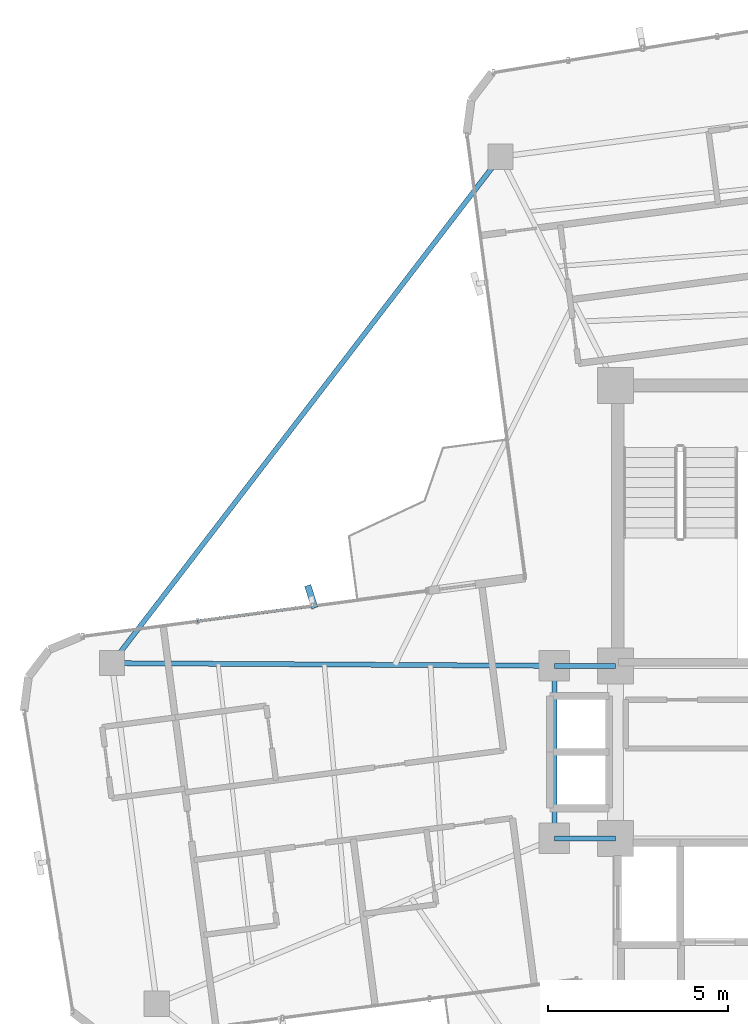
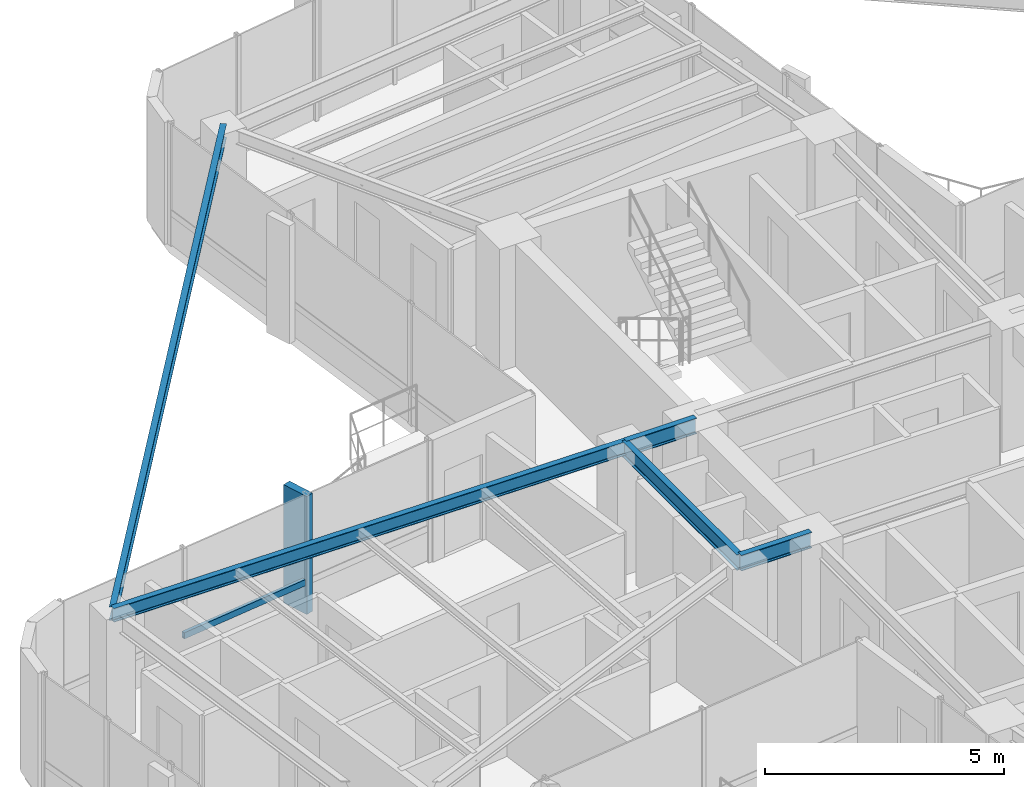
# One storey, part 8 of 22: 5 beams, 2 members, 1 element without a shape of its own.
"""IFC4 building model written with IfcOpenShell, lengths in metres."""

from ifc_helpers import new_model, si_unit, direction, frame, origin, origin_2d, place, context, subcontext, project, spatial, rectangle, hollow_rectangle, i_section, extrude, source, transform, mapped, material, material_profile, profile_set, type_object, element, aggregate, save


model = new_model("IFC4")

# Units and contexts
model_context = context("Model", 3, precision=1e-05, world=origin(), true_north=direction((0.0, 1.0)))
body_context = subcontext(model_context, "Body", "Model", "MODEL_VIEW")
ifc_project = project(units=[si_unit("LENGTHUNIT", "METRE"), si_unit("AREAUNIT", "SQUARE_METRE"), si_unit("VOLUMEUNIT", "CUBIC_METRE"), si_unit("PLANEANGLEUNIT", "RADIAN"), si_unit("MASSUNIT", "GRAM", prefix="KILO")], contexts=[model_context])

# Site, building, storey
site_placement = place(None, origin())
site = spatial("IfcSite", under=ifc_project, at=site_placement, CompositionType="ELEMENT")
building_placement = place(site_placement, origin())
building = spatial("IfcBuilding", under=site, at=building_placement, Name="Sahyath Konkavel Grand Hotel", CompositionType="ELEMENT")
storey_placement = place(building_placement, frame((0.0, 0.0, 234.449951171875)))
storey = spatial("IfcBuildingStorey", under=building, at=storey_placement, Name="L65", CompositionType="ELEMENT", Elevation=234.449951171875)

# Beams
ifc_material_1 = material(Name="Steel E350", Category="steel")
ifc_material_profile_1 = material_profile(ifc_material_1, i_section(OverallWidth=0.139892578125, OverallDepth=0.39990234375, WebThickness=0.0087890625, FlangeThickness=0.01611328125, FilletRadius=0.013916015625, at=origin_2d()), Name="ISMB 400")
ifc_profile_set_1 = profile_set([ifc_material_profile_1], Name="Steel E350")
beam_type_1 = type_object("IfcBeamType", Name="BM-ISMB400", PredefinedType="BEAM", material=ifc_profile_set_1)
shared_shape_1 = source(origin(), body_context, "Body", "SweptSolid", [
    extrude(i_section(OverallWidth=0.139892578125, OverallDepth=0.39990234375, WebThickness=0.0087890625, FlangeThickness=0.01611328125, FilletRadius=0.013916015625, at=origin_2d()), origin(), (0.0, 0.0, 1.0), 1.699951171875),
])
for number, where, z_axis, x_axis, name in (
    (1, (-5.5, 2.39990234375, 2.91015625), (1.0, 0.0, 0.0), (0.0, 1.0, 0.0), "str:bm:L65:HB-NW"),
    (2, (-5.5, -2.39990234375, 2.91015625), (1.0, 0.0, 0.0), (0.0, 1.0, 0.0), "str:bm:L65:HB-SW"),
):
    element("IfcBeam", number, at=place(storey_placement, frame(where, z_axis=z_axis, x_axis=x_axis)), inside=storey, type_object=beam_type_1, Name=name, PredefinedType="BEAM", context=body_context, shape_type="MappedRepresentation", body=[
        mapped(shared_shape_1, transform((0.0, 0.0, 0.0), scale=1.0)),
    ])
shared_shape_2 = source(origin(), body_context, "Body", "SweptSolid", [
    extrude(i_section(OverallWidth=0.139892578125, OverallDepth=0.39990234375, WebThickness=0.0087890625, FlangeThickness=0.01611328125, FilletRadius=0.013916015625, at=origin_2d()), origin(), (0.0, 0.0, 1.0), 4.7998046875),
])
beam_1_placement = place(storey_placement, frame((-5.5, -2.39990234375, 2.91015625), z_axis=(0.0, 1.0, 0.0), x_axis=(-1.0, 0.0, 0.0)))
element("IfcBeam", 3, at=beam_1_placement, inside=storey, type_object=beam_type_1, Name="str:bm:L65:HB-W", PredefinedType="BEAM", context=body_context, shape_type="MappedRepresentation", body=[
    mapped(shared_shape_2, transform((0.0, 0.0, 0.0), scale=1.0)),
])
ifc_material_profile_2 = material_profile(ifc_material_1, i_section(OverallWidth=0.139892578125, OverallDepth=0.35009765625, WebThickness=0.008056640625, FlangeThickness=0.01416015625, FilletRadius=0.013916015625, at=origin_2d()), Name="ISMB 350")
ifc_profile_set_2 = profile_set([ifc_material_profile_2], Name="Steel E350")
beam_type_2 = type_object("IfcBeamType", Name="BM-ISMB350", PredefinedType="BEAM", material=ifc_profile_set_2)
shared_shape_3 = source(origin(), body_context, "Body", "SweptSolid", [
    extrude(i_section(OverallWidth=0.139892578125, OverallDepth=0.35009765625, WebThickness=0.008056640625, FlangeThickness=0.01416015625, FilletRadius=0.013916015625, at=origin_2d()), origin(), (0.0, 0.0, 1.0), 12.308837890625),
])
beam_2_placement = place(storey_placement, frame((-5.5, 2.39990234375, 2.93505859375), z_axis=(-0.999981096409, 0.006148725402, 0.0), x_axis=(-0.006148725402, -0.999981096409, 0.0)))
element("IfcBeam", 4, at=beam_2_placement, inside=storey, type_object=beam_type_2, Name="L65 Cruciform Radial Girder WA", PredefinedType="BEAM", context=body_context, shape_type="MappedRepresentation", body=[
    mapped(shared_shape_3, transform((0.0, 0.0, 0.0), scale=1.0)),
])
shared_shape_4 = source(origin(), body_context, "Body", "SweptSolid", [
    extrude(i_section(OverallWidth=0.139892578125, OverallDepth=0.35009765625, WebThickness=0.008056640625, FlangeThickness=0.01416015625, FilletRadius=0.013916015625, at=origin_2d()), origin(), (0.0, 0.0, 1.0), 17.754150390625),
])
beam_3_placement = place(storey_placement, frame((-7.00048828125, 16.560791015625, 2.93505859375), z_axis=(-0.608766657421, -0.793349328362, 0.0), x_axis=(0.793349328362, -0.608766657421, 0.0)))
element("IfcBeam", 5, at=beam_3_placement, inside=storey, type_object=beam_type_2, Name="L65 Re-Entrant Tie Beam NW", PredefinedType="BEAM", context=body_context, shape_type="MappedRepresentation", body=[
    mapped(shared_shape_4, transform((0.0, 0.0, 0.0), scale=1.0)),
])

# Curtain wall, members
ifc_material_2 = material(Name="Anodised Bronze Aluminium & Low-E Glazing", Category="aluminium")
curtain_wall_type = type_object("IfcCurtainWallType", Name="CW-ZONE4", PredefinedType="NOTDEFINED", material=ifc_material_2)
curtain_wall_placement = place(storey_placement, origin())
curtain_wall = element("IfcCurtainWall", 6, at=curtain_wall_placement, inside=storey, type_object=curtain_wall_type, Name="L65 Unitised Curtain Wall F16", PredefinedType="NOTDEFINED")
ifc_material_3 = material(Name="Warm Buff Sandstone Cladding on Concrete C50/60", Category="masonry")
ifc_material_profile_3 = material_profile(ifc_material_3, rectangle(XDim=0.179931640625, YDim=0.64990234375, at=origin_2d()), Name="FIN 180x650")
ifc_profile_set_3 = profile_set([ifc_material_profile_3], Name="Warm Buff Sandstone Cladding on Concrete C50/60")
member_type_1 = type_object("IfcMemberType", Name="FIN-SANDSTONE-650", PredefinedType="MULLION", material=ifc_profile_set_3)
shared_shape_5 = source(origin(), body_context, "Body", "SweptSolid", [
    extrude(rectangle(XDim=0.179931640625, YDim=0.64990234375, at=origin_2d()), origin(), (0.0, 0.0, 1.0), 3.010009765625),
])
member_1_placement = place(storey_placement, frame((-12.26318359375, 4.325439453125, 0.050048828125), z_axis=(0.0, 0.0, 1.0), x_axis=(0.952236042525, 0.30536293049, 0.0)))
member_1 = element("IfcMember", 7, at=member_1_placement, type_object=member_type_1, Name="L65 Sandstone Vertical Solar Fin FIN F16-1", PredefinedType="MULLION", context=body_context, shape_type="MappedRepresentation", body=[
    mapped(shared_shape_5, transform((0.0, 0.0, 0.0), scale=1.0)),
])
ifc_material_4 = material(Name="Anodised Bronze Aluminium", Category="aluminium")
ifc_material_profile_4 = material_profile(ifc_material_4, hollow_rectangle(XDim=0.080078125, YDim=0.159912109375, WallThickness=0.006103515625, at=origin_2d()), Name="RHS 160x80x6")
ifc_profile_set_4 = profile_set([ifc_material_profile_4], Name="Anodised Bronze Aluminium")
member_type_2 = type_object("IfcMemberType", Name="CW-TRN-160", PredefinedType="USERDEFINED", material=ifc_profile_set_4)
shared_shape_6 = source(origin(), body_context, "Body", "SweptSolid", [
    extrude(hollow_rectangle(XDim=0.080078125, YDim=0.159912109375, WallThickness=0.006103515625, at=origin_2d()), origin(), (0.0, 0.0, 1.0), 3.224609375),
])
member_2_placement = place(storey_placement, frame((-12.229248046875, 4.067626953125, 0.85009765625), z_axis=(-0.991434957495, -0.130601397608, 0.0), x_axis=(0.130601397608, -0.991434957495, 0.0)))
member_2 = element("IfcMember", 8, at=member_2_placement, type_object=member_type_2, Name="L65 Curtain Wall Transom F16-1-spandrel", ObjectType="TRANSOM", PredefinedType="USERDEFINED", context=body_context, shape_type="MappedRepresentation", body=[
    mapped(shared_shape_6, transform((0.0, 0.0, 0.0), scale=1.0)),
])
aggregate(curtain_wall, [member_1, member_2])

save(model, "model.ifc")
